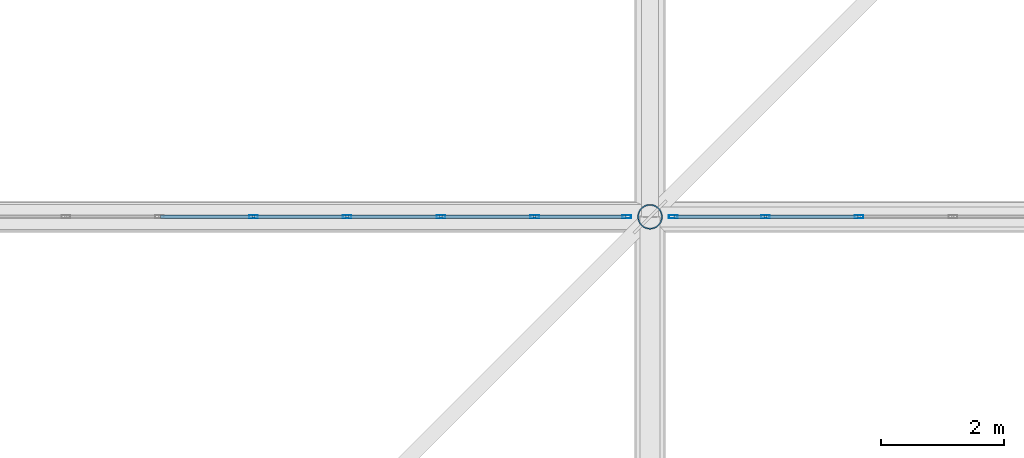
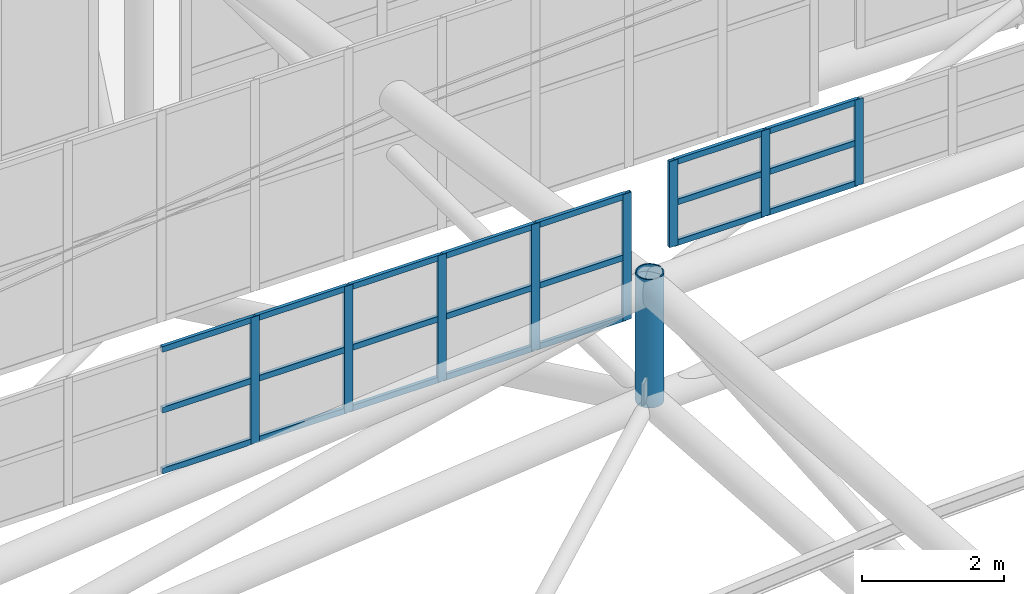
# One storey, part 235 of 397: 30 members, 2 elements without a shape of their own.
"""IFC4 building model written with IfcOpenShell, lengths in metres."""

from ifc_helpers import new_model, si_unit, direction, frame, origin, origin_2d, place, context, subcontext, project, spatial, hollow_rectangle, hollow_circle, extrude, material, material_profile, profile_set, type_object, element, aggregate, save


model = new_model("IFC4")

# Units and contexts
model_context = context("Model", 3, precision=1e-05, world=origin(), true_north=direction((0.0, 1.0)))
body_context = subcontext(model_context, "Body", "Model", "MODEL_VIEW")
ifc_project = project(units=[si_unit("LENGTHUNIT", "METRE"), si_unit("AREAUNIT", "SQUARE_METRE"), si_unit("VOLUMEUNIT", "CUBIC_METRE"), si_unit("PLANEANGLEUNIT", "RADIAN"), si_unit("MASSUNIT", "GRAM", prefix="KILO")], contexts=[model_context])

# Site, building, storey
site_placement = place(None, origin())
site = spatial("IfcSite", under=ifc_project, at=site_placement, CompositionType="ELEMENT")
building_placement = place(site_placement, origin())
building = spatial("IfcBuilding", under=site, at=building_placement, Name="Qandorah Velis Arena", CompositionType="ELEMENT")
storey_placement = place(building_placement, frame((0.0, 0.0, 27.5)))
storey = spatial("IfcBuildingStorey", under=building, at=storey_placement, Name="RF", CompositionType="ELEMENT", Elevation=27.5)

# Curtain wall, members
ifc_material_1 = material(Name="Solar-control low-E double glazing", Category="glass")
curtain_wall_type_1 = type_object("IfcCurtainWallType", Name="ARC-CW-SYS21", PredefinedType="USERDEFINED", material=ifc_material_1)
curtain_wall_1_placement = place(storey_placement, origin())
curtain_wall_1 = element("IfcCurtainWall", 1, at=curtain_wall_1_placement, inside=storey, type_object=curtain_wall_type_1, Name="Unitised curtain wall OCULUS-4-1", ObjectType="UNITISED CURTAIN WALL", PredefinedType="USERDEFINED")
ifc_material_2 = material(Name="Champagne-bronze anodized aluminium 6063-T6", Category="aluminium")
ifc_material_profile_1 = material_profile(ifc_material_2, hollow_rectangle(XDim=0.054931640625, YDim=0.139892578125, WallThickness=0.0029296875, at=origin_2d()), Name="ALU MULLION 55x140")
ifc_profile_set_1 = profile_set([ifc_material_profile_1], Name="Champagne-bronze anodized aluminium 6063-T6")
member_type_1 = type_object("IfcMemberType", Name="ARC-CWM-140", PredefinedType="MULLION", material=ifc_profile_set_1)
member_1_placement = place(storey_placement, frame((36.76123046875, 100.800048828125, 8.53515625), z_axis=(0.0, 0.0, 1.0), x_axis=(0.0, 1.0, 0.0)))
member_1 = element("IfcMember", 2, at=member_1_placement, type_object=member_type_1, Name="CW21 mullion 6", PredefinedType="MULLION", context=body_context, shape_type="SweptSolid", body=[
    extrude(hollow_rectangle(XDim=0.054931640625, YDim=0.139892578125, WallThickness=0.0029296875, at=origin_2d()), origin(), (0.0, 0.0, 1.0), 2.179931640625),
])
member_2_placement = place(storey_placement, frame((38.283447265625, 100.800048828125, 8.53515625), z_axis=(0.0, 0.0, 1.0), x_axis=(0.0, 1.0, 0.0)))
member_2 = element("IfcMember", 3, at=member_2_placement, type_object=member_type_1, Name="CW21 mullion 7", PredefinedType="MULLION", context=body_context, shape_type="SweptSolid", body=[
    extrude(hollow_rectangle(XDim=0.054931640625, YDim=0.139892578125, WallThickness=0.0029296875, at=origin_2d()), origin(), (0.0, 0.0, 1.0), 2.179931640625),
])
member_3_placement = place(storey_placement, frame((39.8056640625, 100.800048828125, 8.53515625), z_axis=(0.0, 0.0, 1.0), x_axis=(0.0, 1.0, 0.0)))
member_3 = element("IfcMember", 4, at=member_3_placement, type_object=member_type_1, Name="CW21 mullion 8", PredefinedType="MULLION", context=body_context, shape_type="SweptSolid", body=[
    extrude(hollow_rectangle(XDim=0.054931640625, YDim=0.139892578125, WallThickness=0.0029296875, at=origin_2d()), origin(), (0.0, 0.0, 1.0), 2.179931640625),
])
member_4_placement = place(storey_placement, frame((41.327880859375, 100.800048828125, 8.53515625), z_axis=(0.0, 0.0, 1.0), x_axis=(0.0, 1.0, 0.0)))
member_4 = element("IfcMember", 5, at=member_4_placement, type_object=member_type_1, Name="CW21 mullion 9", PredefinedType="MULLION", context=body_context, shape_type="SweptSolid", body=[
    extrude(hollow_rectangle(XDim=0.054931640625, YDim=0.139892578125, WallThickness=0.0029296875, at=origin_2d()), origin(), (0.0, 0.0, 1.0), 2.179931640625),
])
member_5_placement = place(storey_placement, frame((42.822509765625, 100.800048828125, 8.53515625), z_axis=(0.0, 0.0, 1.0), x_axis=(0.0, 1.0, 0.0)))
member_5 = element("IfcMember", 6, at=member_5_placement, type_object=member_type_1, Name="CW21 mullion 10", PredefinedType="MULLION", context=body_context, shape_type="SweptSolid", body=[
    extrude(hollow_rectangle(XDim=0.054931640625, YDim=0.139892578125, WallThickness=0.0029296875, at=origin_2d()), origin(), (0.0, 0.0, 1.0), 2.179931640625),
])

curtain_wall_type_2 = type_object("IfcCurtainWallType", Name="ARC-CW-SYS22", PredefinedType="USERDEFINED", material=ifc_material_1)
curtain_wall_2_placement = place(storey_placement, origin())
curtain_wall_2 = element("IfcCurtainWall", 7, at=curtain_wall_2_placement, inside=storey, type_object=curtain_wall_type_2, Name="Unitised curtain wall OCULUS-4-2", ObjectType="UNITISED CURTAIN WALL", PredefinedType="USERDEFINED")
member_6_placement = place(storey_placement, frame((43.577392578125, 100.800048828125, 9.5341796875), z_axis=(0.0, 0.0, 1.0), x_axis=(0.0, 1.0, 0.0)))
member_6 = element("IfcMember", 8, at=member_6_placement, type_object=member_type_1, Name="CW22 mullion 1", PredefinedType="MULLION", context=body_context, shape_type="SweptSolid", body=[
    extrude(hollow_rectangle(XDim=0.054931640625, YDim=0.139892578125, WallThickness=0.0029296875, at=origin_2d()), origin(), (0.0, 0.0, 1.0), 1.480712890625),
])
member_7_placement = place(storey_placement, frame((45.072265625, 100.800048828125, 9.5341796875), z_axis=(0.0, 0.0, 1.0), x_axis=(0.0, 1.0, 0.0)))
member_7 = element("IfcMember", 9, at=member_7_placement, type_object=member_type_1, Name="CW22 mullion 2", PredefinedType="MULLION", context=body_context, shape_type="SweptSolid", body=[
    extrude(hollow_rectangle(XDim=0.054931640625, YDim=0.139892578125, WallThickness=0.0029296875, at=origin_2d()), origin(), (0.0, 0.0, 1.0), 1.480712890625),
])
member_8_placement = place(storey_placement, frame((46.594482421875, 100.800048828125, 9.5341796875), z_axis=(0.0, 0.0, 1.0), x_axis=(0.0, 1.0, 0.0)))
member_8 = element("IfcMember", 10, at=member_8_placement, type_object=member_type_1, Name="CW22 mullion 3", PredefinedType="MULLION", context=body_context, shape_type="SweptSolid", body=[
    extrude(hollow_rectangle(XDim=0.054931640625, YDim=0.139892578125, WallThickness=0.0029296875, at=origin_2d()), origin(), (0.0, 0.0, 1.0), 1.480712890625),
])

# Member
ifc_material_profile_2 = material_profile(ifc_material_2, hollow_rectangle(XDim=0.054931640625, YDim=0.10009765625, WallThickness=0.0029296875, at=origin_2d()), Name="ALU TRANSOM 55x100")
ifc_profile_set_2 = profile_set([ifc_material_profile_2], Name="Champagne-bronze anodized aluminium 6063-T6")
member_type_2 = type_object("IfcMemberType", Name="ARC-CWT-100", PredefinedType="USERDEFINED", material=ifc_profile_set_2)
member_9_placement = place(storey_placement, frame((35.25439453125, 100.800048828125, 8.57763671875), z_axis=(1.0, 0.0, 0.0), x_axis=(0.0, 1.0, 0.0)))
member_9 = element("IfcMember", 11, at=member_9_placement, type_object=member_type_2, Name="CW21 transom 5.1", ObjectType="TRANSOM", PredefinedType="USERDEFINED", context=body_context, shape_type="SweptSolid", body=[
    extrude(hollow_rectangle(XDim=0.054931640625, YDim=0.10009765625, WallThickness=0.0029296875, at=origin_2d()), origin(), (0.0, 0.0, 1.0), 1.4912109375),
])

member_10_placement = place(storey_placement, frame((35.25439453125, 100.800048828125, 9.625244140625), z_axis=(1.0, 0.0, 0.0), x_axis=(0.0, 1.0, 0.0)))
member_10 = element("IfcMember", 12, at=member_10_placement, type_object=member_type_2, Name="CW21 transom 5.2", ObjectType="TRANSOM", PredefinedType="USERDEFINED", context=body_context, shape_type="SweptSolid", body=[
    extrude(hollow_rectangle(XDim=0.054931640625, YDim=0.10009765625, WallThickness=0.0029296875, at=origin_2d()), origin(), (0.0, 0.0, 1.0), 1.4912109375),
])

member_11_placement = place(storey_placement, frame((35.25439453125, 100.800048828125, 10.672607421875), z_axis=(1.0, 0.0, 0.0), x_axis=(0.0, 1.0, 0.0)))
member_11 = element("IfcMember", 13, at=member_11_placement, type_object=member_type_2, Name="CW21 transom 5.3", ObjectType="TRANSOM", PredefinedType="USERDEFINED", context=body_context, shape_type="SweptSolid", body=[
    extrude(hollow_rectangle(XDim=0.054931640625, YDim=0.10009765625, WallThickness=0.0029296875, at=origin_2d()), origin(), (0.0, 0.0, 1.0), 1.4912109375),
])

member_12_placement = place(storey_placement, frame((36.776611328125, 100.800048828125, 8.57763671875), z_axis=(1.0, 0.0, 0.0), x_axis=(0.0, 1.0, 0.0)))
member_12 = element("IfcMember", 14, at=member_12_placement, type_object=member_type_2, Name="CW21 transom 6.1", ObjectType="TRANSOM", PredefinedType="USERDEFINED", context=body_context, shape_type="SweptSolid", body=[
    extrude(hollow_rectangle(XDim=0.054931640625, YDim=0.10009765625, WallThickness=0.0029296875, at=origin_2d()), origin(), (0.0, 0.0, 1.0), 1.4912109375),
])

member_13_placement = place(storey_placement, frame((36.776611328125, 100.800048828125, 9.625244140625), z_axis=(1.0, 0.0, 0.0), x_axis=(0.0, 1.0, 0.0)))
member_13 = element("IfcMember", 15, at=member_13_placement, type_object=member_type_2, Name="CW21 transom 6.2", ObjectType="TRANSOM", PredefinedType="USERDEFINED", context=body_context, shape_type="SweptSolid", body=[
    extrude(hollow_rectangle(XDim=0.054931640625, YDim=0.10009765625, WallThickness=0.0029296875, at=origin_2d()), origin(), (0.0, 0.0, 1.0), 1.4912109375),
])

member_14_placement = place(storey_placement, frame((36.776611328125, 100.800048828125, 10.672607421875), z_axis=(1.0, 0.0, 0.0), x_axis=(0.0, 1.0, 0.0)))
member_14 = element("IfcMember", 16, at=member_14_placement, type_object=member_type_2, Name="CW21 transom 6.3", ObjectType="TRANSOM", PredefinedType="USERDEFINED", context=body_context, shape_type="SweptSolid", body=[
    extrude(hollow_rectangle(XDim=0.054931640625, YDim=0.10009765625, WallThickness=0.0029296875, at=origin_2d()), origin(), (0.0, 0.0, 1.0), 1.4912109375),
])

member_15_placement = place(storey_placement, frame((38.298828125, 100.800048828125, 8.57763671875), z_axis=(1.0, 0.0, 0.0), x_axis=(0.0, 1.0, 0.0)))
member_15 = element("IfcMember", 17, at=member_15_placement, type_object=member_type_2, Name="CW21 transom 7.1", ObjectType="TRANSOM", PredefinedType="USERDEFINED", context=body_context, shape_type="SweptSolid", body=[
    extrude(hollow_rectangle(XDim=0.054931640625, YDim=0.10009765625, WallThickness=0.0029296875, at=origin_2d()), origin(), (0.0, 0.0, 1.0), 1.4912109375),
])

member_16_placement = place(storey_placement, frame((38.298828125, 100.800048828125, 9.625244140625), z_axis=(1.0, 0.0, 0.0), x_axis=(0.0, 1.0, 0.0)))
member_16 = element("IfcMember", 18, at=member_16_placement, type_object=member_type_2, Name="CW21 transom 7.2", ObjectType="TRANSOM", PredefinedType="USERDEFINED", context=body_context, shape_type="SweptSolid", body=[
    extrude(hollow_rectangle(XDim=0.054931640625, YDim=0.10009765625, WallThickness=0.0029296875, at=origin_2d()), origin(), (0.0, 0.0, 1.0), 1.4912109375),
])

member_17_placement = place(storey_placement, frame((38.298828125, 100.800048828125, 10.672607421875), z_axis=(1.0, 0.0, 0.0), x_axis=(0.0, 1.0, 0.0)))
member_17 = element("IfcMember", 19, at=member_17_placement, type_object=member_type_2, Name="CW21 transom 7.3", ObjectType="TRANSOM", PredefinedType="USERDEFINED", context=body_context, shape_type="SweptSolid", body=[
    extrude(hollow_rectangle(XDim=0.054931640625, YDim=0.10009765625, WallThickness=0.0029296875, at=origin_2d()), origin(), (0.0, 0.0, 1.0), 1.4912109375),
])

member_18_placement = place(storey_placement, frame((39.821044921875, 100.800048828125, 8.57763671875), z_axis=(1.0, 0.0, 0.0), x_axis=(0.0, 1.0, 0.0)))
member_18 = element("IfcMember", 20, at=member_18_placement, type_object=member_type_2, Name="CW21 transom 8.1", ObjectType="TRANSOM", PredefinedType="USERDEFINED", context=body_context, shape_type="SweptSolid", body=[
    extrude(hollow_rectangle(XDim=0.054931640625, YDim=0.10009765625, WallThickness=0.0029296875, at=origin_2d()), origin(), (0.0, 0.0, 1.0), 1.4912109375),
])

member_19_placement = place(storey_placement, frame((39.821044921875, 100.800048828125, 9.625244140625), z_axis=(1.0, 0.0, 0.0), x_axis=(0.0, 1.0, 0.0)))
member_19 = element("IfcMember", 21, at=member_19_placement, type_object=member_type_2, Name="CW21 transom 8.2", ObjectType="TRANSOM", PredefinedType="USERDEFINED", context=body_context, shape_type="SweptSolid", body=[
    extrude(hollow_rectangle(XDim=0.054931640625, YDim=0.10009765625, WallThickness=0.0029296875, at=origin_2d()), origin(), (0.0, 0.0, 1.0), 1.4912109375),
])

member_20_placement = place(storey_placement, frame((39.821044921875, 100.800048828125, 10.672607421875), z_axis=(1.0, 0.0, 0.0), x_axis=(0.0, 1.0, 0.0)))
member_20 = element("IfcMember", 22, at=member_20_placement, type_object=member_type_2, Name="CW21 transom 8.3", ObjectType="TRANSOM", PredefinedType="USERDEFINED", context=body_context, shape_type="SweptSolid", body=[
    extrude(hollow_rectangle(XDim=0.054931640625, YDim=0.10009765625, WallThickness=0.0029296875, at=origin_2d()), origin(), (0.0, 0.0, 1.0), 1.4912109375),
])

member_21_placement = place(storey_placement, frame((41.34326171875, 100.800048828125, 8.57763671875), z_axis=(1.0, 0.0, 0.0), x_axis=(0.0, 1.0, 0.0)))
member_21 = element("IfcMember", 23, at=member_21_placement, type_object=member_type_2, Name="CW21 transom 9.1", ObjectType="TRANSOM", PredefinedType="USERDEFINED", context=body_context, shape_type="SweptSolid", body=[
    extrude(hollow_rectangle(XDim=0.054931640625, YDim=0.10009765625, WallThickness=0.0029296875, at=origin_2d()), origin(), (0.0, 0.0, 1.0), 1.463623046875),
])

member_22_placement = place(storey_placement, frame((41.34326171875, 100.800048828125, 9.625244140625), z_axis=(1.0, 0.0, 0.0), x_axis=(0.0, 1.0, 0.0)))
member_22 = element("IfcMember", 24, at=member_22_placement, type_object=member_type_2, Name="CW21 transom 9.2", ObjectType="TRANSOM", PredefinedType="USERDEFINED", context=body_context, shape_type="SweptSolid", body=[
    extrude(hollow_rectangle(XDim=0.054931640625, YDim=0.10009765625, WallThickness=0.0029296875, at=origin_2d()), origin(), (0.0, 0.0, 1.0), 1.463623046875),
])

member_23_placement = place(storey_placement, frame((41.34326171875, 100.800048828125, 10.672607421875), z_axis=(1.0, 0.0, 0.0), x_axis=(0.0, 1.0, 0.0)))
member_23 = element("IfcMember", 25, at=member_23_placement, type_object=member_type_2, Name="CW21 transom 9.3", ObjectType="TRANSOM", PredefinedType="USERDEFINED", context=body_context, shape_type="SweptSolid", body=[
    extrude(hollow_rectangle(XDim=0.054931640625, YDim=0.10009765625, WallThickness=0.0029296875, at=origin_2d()), origin(), (0.0, 0.0, 1.0), 1.463623046875),
])

aggregate(curtain_wall_1, [member_1, member_2, member_3, member_4, member_5, member_9, member_10, member_11, member_12, member_13, member_14, member_15, member_16, member_17, member_18, member_19, member_20, member_21, member_22, member_23])

member_24_placement = place(storey_placement, frame((43.593017578125, 100.800048828125, 9.57666015625), z_axis=(1.0, 0.0, 0.0), x_axis=(0.0, 1.0, 0.0)))
member_24 = element("IfcMember", 26, at=member_24_placement, type_object=member_type_2, Name="CW22 transom 1.1", ObjectType="TRANSOM", PredefinedType="USERDEFINED", context=body_context, shape_type="SweptSolid", body=[
    extrude(hollow_rectangle(XDim=0.054931640625, YDim=0.10009765625, WallThickness=0.0029296875, at=origin_2d()), origin(), (0.0, 0.0, 1.0), 1.463623046875),
])

member_25_placement = place(storey_placement, frame((43.593017578125, 100.800048828125, 10.274658203125), z_axis=(1.0, 0.0, 0.0), x_axis=(0.0, 1.0, 0.0)))
member_25 = element("IfcMember", 27, at=member_25_placement, type_object=member_type_2, Name="CW22 transom 1.2", ObjectType="TRANSOM", PredefinedType="USERDEFINED", context=body_context, shape_type="SweptSolid", body=[
    extrude(hollow_rectangle(XDim=0.054931640625, YDim=0.10009765625, WallThickness=0.0029296875, at=origin_2d()), origin(), (0.0, 0.0, 1.0), 1.463623046875),
])

member_26_placement = place(storey_placement, frame((43.593017578125, 100.800048828125, 10.972412109375), z_axis=(1.0, 0.0, 0.0), x_axis=(0.0, 1.0, 0.0)))
member_26 = element("IfcMember", 28, at=member_26_placement, type_object=member_type_2, Name="CW22 transom 1.3", ObjectType="TRANSOM", PredefinedType="USERDEFINED", context=body_context, shape_type="SweptSolid", body=[
    extrude(hollow_rectangle(XDim=0.054931640625, YDim=0.10009765625, WallThickness=0.0029296875, at=origin_2d()), origin(), (0.0, 0.0, 1.0), 1.463623046875),
])

member_27_placement = place(storey_placement, frame((45.087646484375, 100.800048828125, 9.57666015625), z_axis=(1.0, 0.0, 0.0), x_axis=(0.0, 1.0, 0.0)))
member_27 = element("IfcMember", 29, at=member_27_placement, type_object=member_type_2, Name="CW22 transom 2.1", ObjectType="TRANSOM", PredefinedType="USERDEFINED", context=body_context, shape_type="SweptSolid", body=[
    extrude(hollow_rectangle(XDim=0.054931640625, YDim=0.10009765625, WallThickness=0.0029296875, at=origin_2d()), origin(), (0.0, 0.0, 1.0), 1.4912109375),
])

member_28_placement = place(storey_placement, frame((45.087646484375, 100.800048828125, 10.274658203125), z_axis=(1.0, 0.0, 0.0), x_axis=(0.0, 1.0, 0.0)))
member_28 = element("IfcMember", 30, at=member_28_placement, type_object=member_type_2, Name="CW22 transom 2.2", ObjectType="TRANSOM", PredefinedType="USERDEFINED", context=body_context, shape_type="SweptSolid", body=[
    extrude(hollow_rectangle(XDim=0.054931640625, YDim=0.10009765625, WallThickness=0.0029296875, at=origin_2d()), origin(), (0.0, 0.0, 1.0), 1.4912109375),
])

member_29_placement = place(storey_placement, frame((45.087646484375, 100.800048828125, 10.972412109375), z_axis=(1.0, 0.0, 0.0), x_axis=(0.0, 1.0, 0.0)))
member_29 = element("IfcMember", 31, at=member_29_placement, type_object=member_type_2, Name="CW22 transom 2.3", ObjectType="TRANSOM", PredefinedType="USERDEFINED", context=body_context, shape_type="SweptSolid", body=[
    extrude(hollow_rectangle(XDim=0.054931640625, YDim=0.10009765625, WallThickness=0.0029296875, at=origin_2d()), origin(), (0.0, 0.0, 1.0), 1.4912109375),
])

aggregate(curtain_wall_2, [member_6, member_7, member_8, member_24, member_25, member_26, member_27, member_28, member_29])

ifc_material_3 = material(Name="Steel S460", Category="steel")
ifc_material_profile_3 = material_profile(ifc_material_3, hollow_circle(Radius=0.203125, WallThickness=0.02001953125, at=origin_2d()), Name="CHS 406.4x20")
ifc_profile_set_3 = profile_set([ifc_material_profile_3], Name="Steel S460")
member_type_3 = type_object("IfcMemberType", Name="STR-SFD-CHS406X20", PredefinedType="STRUT", material=ifc_profile_set_3)
member_30_placement = place(storey_placement, frame((43.199951171875, 100.800048828125, 7.009521484375), z_axis=(0.0, 0.0, 1.0), x_axis=(1.0, 0.0, 0.0)))
element("IfcMember", 32, at=member_30_placement, inside=storey, type_object=member_type_3, Name="Space frame roof vertical post 2.6", PredefinedType="STRUT", context=body_context, shape_type="SweptSolid", body=[
    extrude(hollow_circle(Radius=0.203125, WallThickness=0.02001953125, at=origin_2d()), origin(), (0.0, 0.0, 1.0), 2.2099609375),
])

save(model, "model.ifc")
